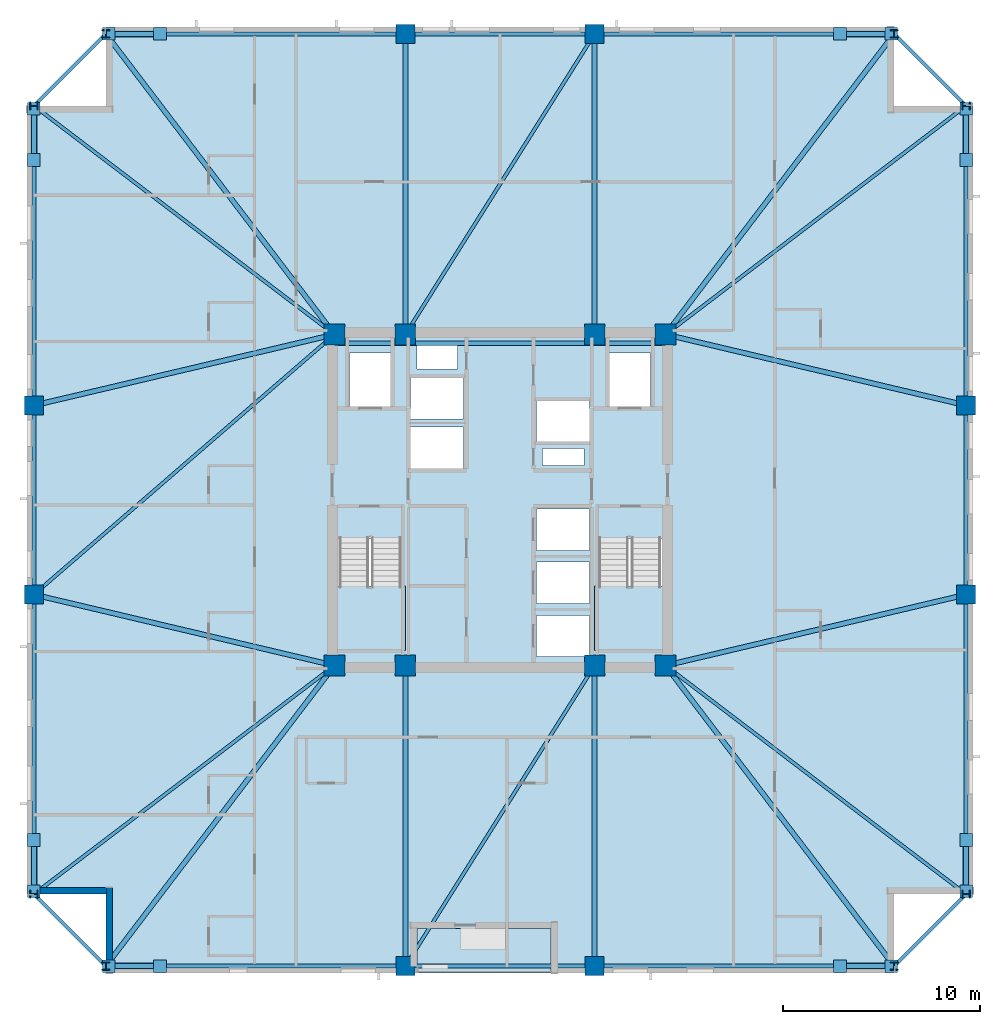
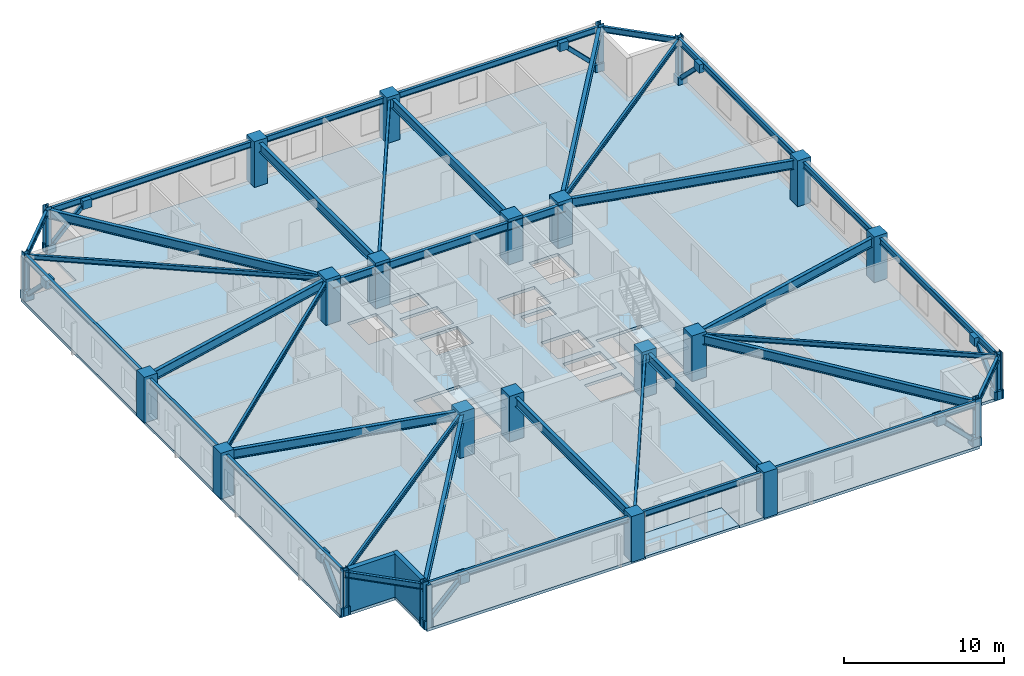
# One storey, part 1 of 11: 38 beams, 24 columns, 16 plates, 8 members, 4 slabs, 2 walls, 2 elements without a shape of their own.
"""IFC4 building model written with IfcOpenShell, lengths in metres."""

from ifc_helpers import new_model, si_unit, direction, frame, frame_2d, origin, origin_2d, place, context, subcontext, project, spatial, polyline, rectangle, hollow_rectangle, i_section, outline, extrude, material, layer, layer_set, material_profile, profile_set, type_object, element, aggregate, save


model = new_model("IFC4")

# Units and contexts
model_context = context("Model", 3, precision=1e-05, world=origin(), true_north=direction((0.0, 1.0)))
body_context = subcontext(model_context, "Body", "Model", "MODEL_VIEW")
ifc_project = project(units=[si_unit("LENGTHUNIT", "METRE"), si_unit("AREAUNIT", "SQUARE_METRE"), si_unit("VOLUMEUNIT", "CUBIC_METRE"), si_unit("PLANEANGLEUNIT", "RADIAN"), si_unit("MASSUNIT", "GRAM", prefix="KILO")], contexts=[model_context])

# Site, building, storey
site_placement = place(None, origin())
site = spatial("IfcSite", under=ifc_project, at=site_placement, CompositionType="ELEMENT")
building_placement = place(site_placement, origin())
building = spatial("IfcBuilding", under=site, at=building_placement, Name="Cairnveth Concourse Tower", CompositionType="ELEMENT")
storey_placement = place(building_placement, frame((0.0, 0.0, 151.5)))
storey = spatial("IfcBuildingStorey", under=building, at=storey_placement, Name="L41", CompositionType="ELEMENT", Elevation=151.5)

# Columns
ifc_material_1 = material(Name="Concrete N65 (65 MPa)", Category="concrete")
ifc_material_profile_1 = material_profile(ifc_material_1, rectangle(XDim=1.050048828125, YDim=1.050048828125, at=origin_2d()), Name="RC-COL-1050x1050")
ifc_profile_set_1 = profile_set([ifc_material_profile_1], Name="Concrete N65 (65 MPa)")
column_type_1 = type_object("IfcColumnType", Name="CORE COLUMN 1050X1050", PredefinedType="COLUMN", material=ifc_profile_set_1)
for number, where, z_axis, x_axis, name in (
    (1, (43.60009765625, 30.60009765625, 0.0), (0.0, 0.0, 1.0), (1.0, 0.0, 0.0), "Column CC1 L41"),
    (2, (47.199951171875, 30.60009765625, 0.0), (0.0, 0.0, 1.0), (1.0, 0.0, 0.0), "Column CC2 L41"),
    (3, (56.800048828125, 30.60009765625, 0.0), (0.0, 0.0, 1.0), (1.0, 0.0, 0.0), "Column CC3 L41"),
    (4, (60.39990234375, 30.60009765625, 0.0), (0.0, 0.0, 1.0), (1.0, 0.0, 0.0), "Column CC4 L41"),
    (5, (43.60009765625, 47.39990234375, 0.0), (0.0, 0.0, 1.0), (1.0, 0.0, 0.0), "Column CC5 L41"),
    (6, (47.199951171875, 47.39990234375, 0.0), (0.0, 0.0, 1.0), (1.0, 0.0, 0.0), "Column CC6 L41"),
    (7, (56.800048828125, 47.39990234375, 0.0), (0.0, 0.0, 1.0), (1.0, 0.0, 0.0), "Column CC7 L41"),
    (8, (60.39990234375, 47.39990234375, 0.0), (0.0, 0.0, 1.0), (1.0, 0.0, 0.0), "Column CC8 L41"),
):
    element("IfcColumn", number, at=place(storey_placement, frame(where, z_axis=z_axis, x_axis=x_axis)), inside=storey, type_object=column_type_1, Name=name, PredefinedType="COLUMN", context=body_context, shape_type="SweptSolid", body=[
        extrude(rectangle(XDim=1.050048828125, YDim=1.050048828125, at=origin_2d()), origin(), (0.0, 0.0, 1.0), 3.5),
    ])
ifc_material_profile_2 = material_profile(ifc_material_1, rectangle(XDim=0.949951171875, YDim=0.949951171875, at=origin_2d()), Name="RC-COL-950x950")
ifc_profile_set_2 = profile_set([ifc_material_profile_2], Name="Concrete N65 (65 MPa)")
column_type_2 = type_object("IfcColumnType", Name="PERIMETER PIER COLUMN 950X950", PredefinedType="COLUMN", material=ifc_profile_set_2)
for number, where, z_axis, x_axis, name in (
    (9, (47.199951171875, 15.35009765625, 0.0), (0.0, 0.0, 1.0), (1.0, 0.0, 0.0), "Column P-S2 L41"),
    (10, (56.800048828125, 15.35009765625, 0.0), (0.0, 0.0, 1.0), (1.0, 0.0, 0.0), "Column P-S3 L41"),
    (11, (75.64990234375, 34.199951171875, 0.0), (0.0, 0.0, 1.0), (0.0, 1.0, 0.0), "Column P-E2 L41"),
    (12, (75.64990234375, 43.800048828125, 0.0), (0.0, 0.0, 1.0), (0.0, 1.0, 0.0), "Column P-E3 L41"),
    (13, (56.800048828125, 62.64990234375, 0.0), (0.0, 0.0, 1.0), (1.0, 0.0, 0.0), "Column P-N2 L41"),
    (14, (47.199951171875, 62.64990234375, 0.0), (0.0, 0.0, 1.0), (1.0, 0.0, 0.0), "Column P-N3 L41"),
    (15, (28.35009765625, 43.800048828125, 0.0), (0.0, 0.0, 1.0), (0.0, 1.0, 0.0), "Column P-W2 L41"),
    (16, (28.35009765625, 34.199951171875, 0.0), (0.0, 0.0, 1.0), (0.0, 1.0, 0.0), "Column P-W3 L41"),
):
    element("IfcColumn", number, at=place(storey_placement, frame(where, z_axis=z_axis, x_axis=x_axis)), inside=storey, type_object=column_type_2, Name=name, PredefinedType="COLUMN", context=body_context, shape_type="SweptSolid", body=[
        extrude(rectangle(XDim=0.949951171875, YDim=0.949951171875, at=origin_2d()), origin(), (0.0, 0.0, 1.0), 3.5),
    ])
ifc_material_2 = material(Name="Steel Grade 350", Category="steel")
ifc_material_profile_3 = material_profile(ifc_material_2, i_section(OverallWidth=0.39990234375, OverallDepth=0.39990234375, WebThickness=0.02197265625, FlangeThickness=0.035888671875, at=origin_2d()), Name="400WC270")
ifc_profile_set_3 = profile_set([ifc_material_profile_3], Name="Steel Grade 350")
column_type_3 = type_object("IfcColumnType", Name="WELDED STEEL COLUMN 400WC270", PredefinedType="COLUMN", material=ifc_profile_set_3)
for number, where, z_axis, x_axis, name in (
    (17, (32.0, 15.35009765625, 0.0), (0.0, 0.0, 1.0), (1.0, 0.0, 0.0), "Column P-S1 L41"),
    (18, (72.0, 15.35009765625, 0.0), (0.0, 0.0, 1.0), (1.0, 0.0, 0.0), "Column P-S4 L41"),
    (19, (75.64990234375, 19.0, 0.0), (0.0, 0.0, 1.0), (0.0, 1.0, 0.0), "Column P-E1 L41"),
    (20, (75.64990234375, 59.0, 0.0), (0.0, 0.0, 1.0), (0.0, 1.0, 0.0), "Column P-E4 L41"),
    (21, (72.0, 62.64990234375, 0.0), (0.0, 0.0, 1.0), (1.0, 0.0, 0.0), "Column P-N1 L41"),
    (22, (32.0, 62.64990234375, 0.0), (0.0, 0.0, 1.0), (1.0, 0.0, 0.0), "Column P-N4 L41"),
    (23, (28.35009765625, 59.0, 0.0), (0.0, 0.0, 1.0), (0.0, 1.0, 0.0), "Column P-W1 L41"),
    (24, (28.35009765625, 19.0, 0.0), (0.0, 0.0, 1.0), (0.0, 1.0, 0.0), "Column P-W4 L41"),
):
    element("IfcColumn", number, at=place(storey_placement, frame(where, z_axis=z_axis, x_axis=x_axis)), inside=storey, type_object=column_type_3, Name=name, PredefinedType="COLUMN", context=body_context, shape_type="SweptSolid", body=[
        extrude(i_section(OverallWidth=0.39990234375, OverallDepth=0.39990234375, WebThickness=0.02197265625, FlangeThickness=0.035888671875, at=origin_2d()), origin(), (0.0, 0.0, 1.0), 3.5),
    ])

# Beams
ifc_material_profile_4 = material_profile(ifc_material_2, i_section(OverallWidth=0.22802734375, OverallDepth=0.60693359375, WebThickness=0.01123046875, FlangeThickness=0.017333984375, FilletRadius=0.013916015625, at=origin_2d()), Name="610UB113")
ifc_profile_set_4 = profile_set([ifc_material_profile_4], Name="Steel Grade 350")
beam_type_1 = type_object("IfcBeamType", Name="CORE TIE BEAM 610UB113", PredefinedType="T_BEAM", material=ifc_profile_set_4)
for number, where, z_axis, x_axis, name in (
    (25, (43.60009765625, 46.949951171875, 2.9765625), (1.0, 0.0, 0.0), (0.0, 1.0, 0.0), "Beam CT-N1 L41"),
    (26, (56.800048828125, 46.949951171875, 2.9765625), (1.0, 0.0, 0.0), (0.0, 1.0, 0.0), "Beam CT-N3 L41"),
):
    element("IfcBeam", number, at=place(storey_placement, frame(where, z_axis=z_axis, x_axis=x_axis)), inside=storey, type_object=beam_type_1, Name=name, PredefinedType="T_BEAM", context=body_context, shape_type="SweptSolid", body=[
        extrude(i_section(OverallWidth=0.22802734375, OverallDepth=0.60693359375, WebThickness=0.01123046875, FlangeThickness=0.017333984375, FilletRadius=0.013916015625, at=origin_2d()), origin(), (0.0, 0.0, 1.0), 3.599853515625),
    ])
beam_1_placement = place(storey_placement, frame((47.199951171875, 46.949951171875, 2.9765625), z_axis=(1.0, 0.0, 0.0), x_axis=(0.0, 1.0, 0.0)))
element("IfcBeam", 27, at=beam_1_placement, inside=storey, type_object=beam_type_1, Name="Beam CT-N2 L41", PredefinedType="T_BEAM", context=body_context, shape_type="SweptSolid", body=[
    extrude(i_section(OverallWidth=0.22802734375, OverallDepth=0.60693359375, WebThickness=0.01123046875, FlangeThickness=0.017333984375, FilletRadius=0.013916015625, at=origin_2d()), origin(), (0.0, 0.0, 1.0), 9.60009765625),
])
ifc_material_profile_5 = material_profile(ifc_material_2, i_section(OverallWidth=0.172119140625, OverallDepth=0.35888671875, WebThickness=0.008056640625, FlangeThickness=0.012939453125, FilletRadius=0.010986328125, at=origin_2d()), Name="360UB56.7")
ifc_profile_set_5 = profile_set([ifc_material_profile_5], Name="Steel Grade 350")
beam_type_2 = type_object("IfcBeamType", Name="ZONE 2 FLOOR JOIST 360UB56.7", PredefinedType="JOIST", material=ifc_profile_set_5)
for number, where, z_axis, x_axis, name in (
    (28, (28.35009765625, 19.0, 3.1005859375), (0.795908242904, 0.6054172684, 0.0), (-0.6054172684, 0.795908242904, 0.0), "Beam FJ-CSW2 L41"),
    (29, (75.64990234375, 19.0, 3.1005859375), (-0.795908242904, 0.6054172684, 0.0), (-0.6054172684, -0.795908242904, 0.0), "Beam FJ-CSE2 L41"),
    (30, (75.64990234375, 59.0, 3.1005859375), (-0.795908242904, -0.6054172684, 0.0), (0.6054172684, -0.795908242904, 0.0), "Beam FJ-CNE2 L41"),
    (31, (28.35009765625, 59.0, 3.1005859375), (0.795908242904, -0.6054172684, 0.0), (0.6054172684, 0.795908242904, 0.0), "Beam FJ-CNW2 L41"),
):
    element("IfcBeam", number, at=place(storey_placement, frame(where, z_axis=z_axis, x_axis=x_axis)), inside=storey, type_object=beam_type_2, Name=name, PredefinedType="JOIST", context=body_context, shape_type="SweptSolid", body=[
        extrude(i_section(OverallWidth=0.172119140625, OverallDepth=0.35888671875, WebThickness=0.008056640625, FlangeThickness=0.012939453125, FilletRadius=0.010986328125, at=origin_2d()), origin(), (0.0, 0.0, 1.0), 19.160400390625),
    ])
for number, where, z_axis, x_axis, name in (
    (32, (47.199951171875, 15.35009765625, 3.1005859375), (0.532743557037, 0.84627672923, 0.0), (-0.84627672923, 0.532743557037, 0.0), "Beam FJ-S-M1 L41"),
    (33, (47.199951171875, 47.39990234375, 3.1005859375), (0.532743557037, 0.84627672923, 0.0), (-0.84627672923, 0.532743557037, 0.0), "Beam FJ-N-M1 L41"),
):
    element("IfcBeam", number, at=place(storey_placement, frame(where, z_axis=z_axis, x_axis=x_axis)), inside=storey, type_object=beam_type_2, Name=name, PredefinedType="JOIST", context=body_context, shape_type="SweptSolid", body=[
        extrude(i_section(OverallWidth=0.172119140625, OverallDepth=0.35888671875, WebThickness=0.008056640625, FlangeThickness=0.012939453125, FilletRadius=0.010986328125, at=origin_2d()), origin(), (0.0, 0.0, 1.0), 18.02001953125),
    ])
beam_2_placement = place(storey_placement, frame((28.35009765625, 34.199951171875, 3.1005859375), z_axis=(0.756099107057, 0.654457134049, 0.0), x_axis=(-0.654457134049, 0.756099107057, 0.0)))
element("IfcBeam", 34, at=beam_2_placement, inside=storey, type_object=beam_type_2, Name="Beam FJ-W-M1 L41", PredefinedType="JOIST", context=body_context, shape_type="SweptSolid", body=[
    extrude(i_section(OverallWidth=0.172119140625, OverallDepth=0.35888671875, WebThickness=0.008056640625, FlangeThickness=0.012939453125, FilletRadius=0.010986328125, at=origin_2d()), origin(), (0.0, 0.0, 1.0), 20.16943359375),
])

# Members
ifc_material_3 = material(Name="Steel C350L0 (350 MPa)", Category="steel")
ifc_material_profile_6 = material_profile(ifc_material_3, hollow_rectangle(XDim=0.300048828125, YDim=0.300048828125, WallThickness=0.01611328125, InnerFilletRadius=0.01611328125, OuterFilletRadius=0.031982421875, at=origin_2d()), Name="300x300x16.0SHS")
ifc_profile_set_6 = profile_set([ifc_material_profile_6], Name="Steel C350L0 (350 MPa)")
member_type = type_object("IfcMemberType", Name="ZONE 2 PIER BRACE 300X300X16SHS", PredefinedType="BRACE", material=ifc_profile_set_6)
for number, where, z_axis, x_axis, name in (
    (35, (32.14990234375, 15.35009765625, 0.25), (0.709834195787, 0.0, 0.704368805735), (0.0, 1.0, 0.0), "Structural Brace PB-S1 L41"),
    (36, (71.85009765625, 15.35009765625, 0.25), (-0.709834195787, 0.0, 0.704368805735), (0.0, -1.0, 0.0), "Structural Brace PB-S2 L41"),
    (37, (32.14990234375, 62.64990234375, 0.25), (0.709834195787, 0.0, 0.704368805735), (0.0, 1.0, 0.0), "Structural Brace PB-N1 L41"),
    (38, (71.85009765625, 62.64990234375, 0.25), (-0.709834195787, 0.0, 0.704368805735), (0.0, -1.0, 0.0), "Structural Brace PB-N2 L41"),
    (39, (28.35009765625, 19.14990234375, 0.25), (0.0, 0.709834195787, 0.704368805735), (-1.0, 0.0, 0.0), "Structural Brace PB-W1 L41"),
    (40, (28.35009765625, 58.85009765625, 0.25), (0.0, -0.709834195787, 0.704368805735), (1.0, 0.0, 0.0), "Structural Brace PB-W2 L41"),
    (41, (75.64990234375, 19.14990234375, 0.25), (0.0, 0.709834195787, 0.704368805735), (-1.0, 0.0, 0.0), "Structural Brace PB-E1 L41"),
    (42, (75.64990234375, 58.85009765625, 0.25), (0.0, -0.709834195787, 0.704368805735), (1.0, 0.0, 0.0), "Structural Brace PB-E2 L41"),
):
    element("IfcMember", number, at=place(storey_placement, frame(where, z_axis=z_axis, x_axis=x_axis)), inside=storey, type_object=member_type, Name=name, PredefinedType="BRACE", context=body_context, shape_type="SweptSolid", body=[
        extrude(hollow_rectangle(XDim=0.300048828125, YDim=0.300048828125, WallThickness=0.01611328125, InnerFilletRadius=0.01611328125, OuterFilletRadius=0.031982421875, at=origin_2d()), origin(), (0.0, 0.0, 1.0), 3.6630859375),
    ])

# Beams
ifc_material_profile_7 = material_profile(ifc_material_2, i_section(OverallWidth=0.25, OverallDepth=0.699951171875, WebThickness=0.011962890625, FlangeThickness=0.028076171875, at=origin_2d()), Name="700WB173")
ifc_profile_set_7 = profile_set([ifc_material_profile_7], Name="Steel Grade 350")
beam_type_3 = type_object("IfcBeamType", Name="ZONE 2 RADIAL GIRDER 700WB173", PredefinedType="BEAM", material=ifc_profile_set_7)
for number, where, z_axis, x_axis, name in (
    (43, (47.199951171875, 15.35009765625, 2.929931640625), (0.0, 1.0, 0.0), (-1.0, 0.0, 0.0), "Beam RG-S1 L41"),
    (44, (56.800048828125, 15.35009765625, 2.929931640625), (0.0, 1.0, 0.0), (-1.0, 0.0, 0.0), "Beam RG-S2 L41"),
    (45, (47.199951171875, 47.39990234375, 2.929931640625), (0.0, 1.0, 0.0), (-1.0, 0.0, 0.0), "Beam RG-N1 L41"),
    (46, (56.800048828125, 47.39990234375, 2.929931640625), (0.0, 1.0, 0.0), (-1.0, 0.0, 0.0), "Beam RG-N2 L41"),
):
    element("IfcBeam", number, at=place(storey_placement, frame(where, z_axis=z_axis, x_axis=x_axis)), inside=storey, type_object=beam_type_3, Name=name, PredefinedType="BEAM", context=body_context, shape_type="SweptSolid", body=[
        extrude(i_section(OverallWidth=0.25, OverallDepth=0.699951171875, WebThickness=0.011962890625, FlangeThickness=0.028076171875, at=origin_2d()), origin(), (0.0, 0.0, 1.0), 15.25),
    ])
for number, where, z_axis, x_axis, name in (
    (47, (28.35009765625, 34.199951171875, 2.929931640625), (0.973251602929, -0.229741849468, 0.0), (0.229741849468, 0.973251602929, 0.0), "Beam RG-W1 L41"),
    (48, (28.35009765625, 43.800048828125, 2.929931640625), (0.973251602929, 0.229741849468, 0.0), (-0.229741849468, 0.973251602929, 0.0), "Beam RG-W2 L41"),
    (49, (60.39990234375, 30.60009765625, 2.929931640625), (0.973251602929, 0.229741849468, 0.0), (-0.229741849468, 0.973251602929, 0.0), "Beam RG-E1 L41"),
    (50, (60.39990234375, 47.39990234375, 2.929931640625), (0.973251602929, -0.229741849468, 0.0), (0.229741849468, 0.973251602929, 0.0), "Beam RG-E2 L41"),
):
    element("IfcBeam", number, at=place(storey_placement, frame(where, z_axis=z_axis, x_axis=x_axis)), inside=storey, type_object=beam_type_3, Name=name, PredefinedType="BEAM", context=body_context, shape_type="SweptSolid", body=[
        extrude(i_section(OverallWidth=0.25, OverallDepth=0.699951171875, WebThickness=0.011962890625, FlangeThickness=0.028076171875, at=origin_2d()), origin(), (0.0, 0.0, 1.0), 15.669189453125),
    ])
for number, where, z_axis, x_axis, name in (
    (51, (32.0, 15.35009765625, 2.929931640625), (0.6054172684, 0.795908242904, 0.0), (-0.795908242904, 0.6054172684, 0.0), "Beam RG-CSW L41"),
    (52, (72.0, 15.35009765625, 2.929931640625), (-0.6054172684, 0.795908242904, 0.0), (-0.795908242904, -0.6054172684, 0.0), "Beam RG-CSE L41"),
    (53, (72.0, 62.64990234375, 2.929931640625), (-0.6054172684, -0.795908242904, 0.0), (0.795908242904, -0.6054172684, 0.0), "Beam RG-CNE L41"),
    (54, (32.0, 62.64990234375, 2.929931640625), (0.6054172684, -0.795908242904, 0.0), (0.795908242904, 0.6054172684, 0.0), "Beam RG-CNW L41"),
):
    element("IfcBeam", number, at=place(storey_placement, frame(where, z_axis=z_axis, x_axis=x_axis)), inside=storey, type_object=beam_type_3, Name=name, PredefinedType="BEAM", context=body_context, shape_type="SweptSolid", body=[
        extrude(i_section(OverallWidth=0.25, OverallDepth=0.699951171875, WebThickness=0.011962890625, FlangeThickness=0.028076171875, at=origin_2d()), origin(), (0.0, 0.0, 1.0), 19.160400390625),
    ])
ifc_material_profile_8 = material_profile(ifc_material_2, i_section(OverallWidth=0.18994140625, OverallDepth=0.45703125, WebThickness=0.009033203125, FlangeThickness=0.014404296875, FilletRadius=0.010986328125, at=origin_2d()), Name="460UB74.6")
ifc_profile_set_8 = profile_set([ifc_material_profile_8], Name="Steel Grade 350")
beam_type_4 = type_object("IfcBeamType", Name="ZONE 2 SPANDREL BEAM 460UB74.6", PredefinedType="SPANDREL", material=ifc_profile_set_8)
beam_3_placement = place(storey_placement, frame((32.0, 15.35009765625, 3.051513671875), z_axis=(1.0, 0.0, 0.0), x_axis=(0.0, 1.0, 0.0)))
element("IfcBeam", 55, at=beam_3_placement, inside=storey, type_object=beam_type_4, Name="Beam SP-S1 L41", PredefinedType="SPANDREL", context=body_context, shape_type="SweptSolid", body=[
    extrude(i_section(OverallWidth=0.18994140625, OverallDepth=0.45703125, WebThickness=0.009033203125, FlangeThickness=0.014404296875, FilletRadius=0.010986328125, at=origin_2d()), origin(), (0.0, 0.0, 1.0), 15.199951171875),
])
beam_4_placement = place(storey_placement, frame((47.199951171875, 15.35009765625, 3.051513671875), z_axis=(1.0, 0.0, 0.0), x_axis=(0.0, 1.0, 0.0)))
element("IfcBeam", 56, at=beam_4_placement, inside=storey, type_object=beam_type_4, Name="Beam SP-S2 L41", PredefinedType="SPANDREL", context=body_context, shape_type="SweptSolid", body=[
    extrude(i_section(OverallWidth=0.18994140625, OverallDepth=0.45703125, WebThickness=0.009033203125, FlangeThickness=0.014404296875, FilletRadius=0.010986328125, at=origin_2d()), origin(), (0.0, 0.0, 1.0), 9.60009765625),
])
for number, where, z_axis, x_axis, name in (
    (57, (56.800048828125, 15.35009765625, 3.051513671875), (1.0, 0.0, 0.0), (0.0, 1.0, 0.0), "Beam SP-S3 L41"),
    (58, (32.0, 62.64990234375, 3.051513671875), (1.0, 0.0, 0.0), (0.0, 1.0, 0.0), "Beam SP-N1 L41"),
):
    element("IfcBeam", number, at=place(storey_placement, frame(where, z_axis=z_axis, x_axis=x_axis)), inside=storey, type_object=beam_type_4, Name=name, PredefinedType="SPANDREL", context=body_context, shape_type="SweptSolid", body=[
        extrude(i_section(OverallWidth=0.18994140625, OverallDepth=0.45703125, WebThickness=0.009033203125, FlangeThickness=0.014404296875, FilletRadius=0.010986328125, at=origin_2d()), origin(), (0.0, 0.0, 1.0), 15.199951171875),
    ])
beam_5_placement = place(storey_placement, frame((47.199951171875, 62.64990234375, 3.051513671875), z_axis=(1.0, 0.0, 0.0), x_axis=(0.0, 1.0, 0.0)))
element("IfcBeam", 59, at=beam_5_placement, inside=storey, type_object=beam_type_4, Name="Beam SP-N2 L41", PredefinedType="SPANDREL", context=body_context, shape_type="SweptSolid", body=[
    extrude(i_section(OverallWidth=0.18994140625, OverallDepth=0.45703125, WebThickness=0.009033203125, FlangeThickness=0.014404296875, FilletRadius=0.010986328125, at=origin_2d()), origin(), (0.0, 0.0, 1.0), 9.60009765625),
])
for number, where, z_axis, x_axis, name in (
    (60, (56.800048828125, 62.64990234375, 3.051513671875), (1.0, 0.0, 0.0), (0.0, 1.0, 0.0), "Beam SP-N3 L41"),
    (61, (28.35009765625, 19.0, 3.051513671875), (0.0, 1.0, 0.0), (-1.0, 0.0, 0.0), "Beam SP-W1 L41"),
):
    element("IfcBeam", number, at=place(storey_placement, frame(where, z_axis=z_axis, x_axis=x_axis)), inside=storey, type_object=beam_type_4, Name=name, PredefinedType="SPANDREL", context=body_context, shape_type="SweptSolid", body=[
        extrude(i_section(OverallWidth=0.18994140625, OverallDepth=0.45703125, WebThickness=0.009033203125, FlangeThickness=0.014404296875, FilletRadius=0.010986328125, at=origin_2d()), origin(), (0.0, 0.0, 1.0), 15.199951171875),
    ])
beam_6_placement = place(storey_placement, frame((28.35009765625, 34.199951171875, 3.051513671875), z_axis=(0.0, 1.0, 0.0), x_axis=(-1.0, 0.0, 0.0)))
element("IfcBeam", 62, at=beam_6_placement, inside=storey, type_object=beam_type_4, Name="Beam SP-W2 L41", PredefinedType="SPANDREL", context=body_context, shape_type="SweptSolid", body=[
    extrude(i_section(OverallWidth=0.18994140625, OverallDepth=0.45703125, WebThickness=0.009033203125, FlangeThickness=0.014404296875, FilletRadius=0.010986328125, at=origin_2d()), origin(), (0.0, 0.0, 1.0), 9.60009765625),
])
for number, where, z_axis, x_axis, name in (
    (63, (28.35009765625, 43.800048828125, 3.051513671875), (0.0, 1.0, 0.0), (-1.0, 0.0, 0.0), "Beam SP-W3 L41"),
    (64, (75.64990234375, 19.0, 3.051513671875), (0.0, 1.0, 0.0), (-1.0, 0.0, 0.0), "Beam SP-E1 L41"),
):
    element("IfcBeam", number, at=place(storey_placement, frame(where, z_axis=z_axis, x_axis=x_axis)), inside=storey, type_object=beam_type_4, Name=name, PredefinedType="SPANDREL", context=body_context, shape_type="SweptSolid", body=[
        extrude(i_section(OverallWidth=0.18994140625, OverallDepth=0.45703125, WebThickness=0.009033203125, FlangeThickness=0.014404296875, FilletRadius=0.010986328125, at=origin_2d()), origin(), (0.0, 0.0, 1.0), 15.199951171875),
    ])
beam_7_placement = place(storey_placement, frame((75.64990234375, 34.199951171875, 3.051513671875), z_axis=(0.0, 1.0, 0.0), x_axis=(-1.0, 0.0, 0.0)))
element("IfcBeam", 65, at=beam_7_placement, inside=storey, type_object=beam_type_4, Name="Beam SP-E2 L41", PredefinedType="SPANDREL", context=body_context, shape_type="SweptSolid", body=[
    extrude(i_section(OverallWidth=0.18994140625, OverallDepth=0.45703125, WebThickness=0.009033203125, FlangeThickness=0.014404296875, FilletRadius=0.010986328125, at=origin_2d()), origin(), (0.0, 0.0, 1.0), 9.60009765625),
])
beam_8_placement = place(storey_placement, frame((75.64990234375, 43.800048828125, 3.051513671875), z_axis=(0.0, 1.0, 0.0), x_axis=(-1.0, 0.0, 0.0)))
element("IfcBeam", 66, at=beam_8_placement, inside=storey, type_object=beam_type_4, Name="Beam SP-E3 L41", PredefinedType="SPANDREL", context=body_context, shape_type="SweptSolid", body=[
    extrude(i_section(OverallWidth=0.18994140625, OverallDepth=0.45703125, WebThickness=0.009033203125, FlangeThickness=0.014404296875, FilletRadius=0.010986328125, at=origin_2d()), origin(), (0.0, 0.0, 1.0), 15.199951171875),
])
for number, where, z_axis, x_axis, name in (
    (67, (28.35009765625, 19.0, 3.051513671875), (0.707106781187, -0.707106781187, 0.0), (0.707106781187, 0.707106781187, 0.0), "Beam SP-SW L41"),
    (68, (72.0, 15.35009765625, 3.051513671875), (0.707106781187, 0.707106781187, 0.0), (-0.707106781187, 0.707106781187, 0.0), "Beam SP-SE L41"),
    (69, (72.0, 62.64990234375, 3.051513671875), (0.707106781187, -0.707106781187, 0.0), (0.707106781187, 0.707106781187, 0.0), "Beam SP-NE L41"),
    (70, (28.35009765625, 59.0, 3.051513671875), (0.707106781187, 0.707106781187, 0.0), (-0.707106781187, 0.707106781187, 0.0), "Beam SP-NW L41"),
):
    element("IfcBeam", number, at=place(storey_placement, frame(where, z_axis=z_axis, x_axis=x_axis)), inside=storey, type_object=beam_type_4, Name=name, PredefinedType="SPANDREL", context=body_context, shape_type="SweptSolid", body=[
        extrude(i_section(OverallWidth=0.18994140625, OverallDepth=0.45703125, WebThickness=0.009033203125, FlangeThickness=0.014404296875, FilletRadius=0.010986328125, at=origin_2d()), origin(), (0.0, 0.0, 1.0), 5.16162109375),
    ])

# Slab
ifc_material_4 = material(Name="Concrete N50 (50 MPa)", Category="concrete")
ifc_layer_1 = layer(ifc_material_4, 0.219970703125)
ifc_layer_set_1 = layer_set([ifc_layer_1], Name="Concrete N50 (50 MPa)")
slab_type_1 = type_object("IfcSlabType", Name="LOWER TOWER COMPOSITE SLAB 220", PredefinedType="FLOOR", material=ifc_layer_set_1)
slab_1_placement = place(storey_placement, frame((0.0, 0.0, -0.219970703125)))
element("IfcSlab", 71, at=slab_1_placement, inside=storey, type_object=slab_type_1, Name="Tower Floor Slab L41", PredefinedType="FLOOR", context=body_context, shape_type="SweptSolid", body=[
    extrude(outline(polyline([(47.800048828125, 15.0), (47.800048828125, 17.25), (54.60009765625, 17.25), (54.60009765625, 15.0), (72.0, 15.0), (72.0, 19.0), (76.0, 19.0), (76.0, 59.0), (72.0, 59.0), (72.0, 63.0), (32.0, 63.0), (32.0, 59.0), (28.0, 59.0), (28.0, 19.0), (32.0, 19.0), (32.0, 15.0), (47.800048828125, 15.0)]), holes=[polyline([(43.760009765625, 31.360107421875), (47.06005859375, 31.360107421875), (47.06005859375, 37.0400390625), (43.760009765625, 37.0400390625), (43.760009765625, 31.360107421875)]), polyline([(56.93994140625, 31.360107421875), (60.239990234375, 31.360107421875), (60.239990234375, 37.0400390625), (56.93994140625, 37.0400390625), (56.93994140625, 31.360107421875)]), polyline([(44.3701171875, 43.75), (46.469970703125, 43.75), (46.469970703125, 46.449951171875), (44.3701171875, 46.449951171875), (44.3701171875, 43.75)]), polyline([(57.530029296875, 43.75), (59.6298828125, 43.75), (59.6298828125, 46.449951171875), (57.530029296875, 46.449951171875), (57.530029296875, 43.75)]), polyline([(53.85009765625, 31.050048828125), (56.550048828125, 31.050048828125), (56.550048828125, 33.14990234375), (53.85009765625, 33.14990234375), (53.85009765625, 31.050048828125)]), polyline([(53.85009765625, 33.75), (56.550048828125, 33.75), (56.550048828125, 35.85009765625), (53.85009765625, 35.85009765625), (53.85009765625, 33.75)]), polyline([(53.85009765625, 36.449951171875), (56.550048828125, 36.449951171875), (56.550048828125, 38.550048828125), (53.85009765625, 38.550048828125), (53.85009765625, 36.449951171875)]), polyline([(47.449951171875, 40.60009765625), (50.14990234375, 40.60009765625), (50.14990234375, 42.699951171875), (47.449951171875, 42.699951171875), (47.449951171875, 40.60009765625)]), polyline([(47.449951171875, 43.10009765625), (50.14990234375, 43.10009765625), (50.14990234375, 45.199951171875), (47.449951171875, 45.199951171875), (47.449951171875, 43.10009765625)]), polyline([(53.85009765625, 41.949951171875), (56.550048828125, 41.949951171875), (56.550048828125, 44.050048828125), (53.85009765625, 44.050048828125), (53.85009765625, 41.949951171875)]), polyline([(47.800048828125, 45.64990234375), (49.85009765625, 45.64990234375), (49.85009765625, 47.050048828125), (47.800048828125, 47.050048828125), (47.800048828125, 45.64990234375)]), polyline([(54.14990234375, 40.75), (56.25, 40.75), (56.25, 41.6201171875), (54.14990234375, 41.6201171875), (54.14990234375, 40.75)])]), origin(), (0.0, 0.0, 1.0), 0.219970703125),
])

# Plates
ifc_layer_2 = layer(ifc_material_2, 0.031982421875)
ifc_layer_set_2 = layer_set([ifc_layer_2], Name="Steel Grade 350")
plate_type = type_object("IfcPlateType", Name="PERIMETER BRACE GUSSET PLATE 32", PredefinedType="USERDEFINED", material=ifc_layer_set_2)
for number, where, z_axis, x_axis, name in (
    (72, (32.14990234375, 15.35009765625, -0.06982421875), (0.0, 0.0, 1.0), (1.0, 0.0, 0.0), "Structural Node Plate 0689 L41"),
    (73, (34.75, 15.35009765625, 2.51025390625), (0.0, 0.0, 1.0), (1.0, 0.0, 0.0), "Structural Node Plate 0690 L41"),
    (74, (71.85009765625, 15.35009765625, -0.06982421875), (0.0, 0.0, 1.0), (1.0, 0.0, 0.0), "Structural Node Plate 0691 L41"),
    (75, (69.25, 15.35009765625, 2.51025390625), (0.0, 0.0, 1.0), (1.0, 0.0, 0.0), "Structural Node Plate 0692 L41"),
    (76, (32.14990234375, 62.64990234375, -0.06982421875), (0.0, 0.0, 1.0), (1.0, 0.0, 0.0), "Structural Node Plate 0693 L41"),
    (77, (34.75, 62.64990234375, 2.51025390625), (0.0, 0.0, 1.0), (1.0, 0.0, 0.0), "Structural Node Plate 0694 L41"),
    (78, (71.85009765625, 62.64990234375, -0.06982421875), (0.0, 0.0, 1.0), (1.0, 0.0, 0.0), "Structural Node Plate 0695 L41"),
    (79, (69.25, 62.64990234375, 2.51025390625), (0.0, 0.0, 1.0), (1.0, 0.0, 0.0), "Structural Node Plate 0696 L41"),
    (80, (28.35009765625, 19.14990234375, -0.06982421875), (0.0, 0.0, 1.0), (1.0, 0.0, 0.0), "Structural Node Plate 0697 L41"),
    (81, (28.35009765625, 21.75, 2.51025390625), (0.0, 0.0, 1.0), (1.0, 0.0, 0.0), "Structural Node Plate 0698 L41"),
    (82, (28.35009765625, 58.85009765625, -0.06982421875), (0.0, 0.0, 1.0), (1.0, 0.0, 0.0), "Structural Node Plate 0699 L41"),
    (83, (28.35009765625, 56.25, 2.51025390625), (0.0, 0.0, 1.0), (1.0, 0.0, 0.0), "Structural Node Plate 0700 L41"),
    (84, (75.64990234375, 19.14990234375, -0.06982421875), (0.0, 0.0, 1.0), (1.0, 0.0, 0.0), "Structural Node Plate 0701 L41"),
    (85, (75.64990234375, 21.75, 2.51025390625), (0.0, 0.0, 1.0), (1.0, 0.0, 0.0), "Structural Node Plate 0702 L41"),
    (86, (75.64990234375, 58.85009765625, -0.06982421875), (0.0, 0.0, 1.0), (1.0, 0.0, 0.0), "Structural Node Plate 0703 L41"),
    (87, (75.64990234375, 56.25, 2.51025390625), (0.0, 0.0, 1.0), (1.0, 0.0, 0.0), "Structural Node Plate 0704 L41"),
):
    element("IfcPlate", number, at=place(storey_placement, frame(where, z_axis=z_axis, x_axis=x_axis)), inside=storey, type_object=plate_type, Name=name, ObjectType="GUSSET PLATE", PredefinedType="USERDEFINED", context=body_context, shape_type="SweptSolid", body=[
        extrude(rectangle(XDim=0.639892578125, YDim=0.639892578125, at=origin_2d()), origin(), (0.0, 0.0, 1.0), 0.639892578125),
    ])

# Slab
ifc_layer_3 = layer(ifc_material_4, 0.18994140625)
ifc_layer_set_3 = layer_set([ifc_layer_3], Name="Concrete N50 (50 MPa)")
slab_type_2 = type_object("IfcSlabType", Name="SPIRAL OUTDOOR TERRACE SLAB 190", PredefinedType="FLOOR", material=ifc_layer_set_3)
slab_2_placement = place(storey_placement, frame((0.0, 0.0, -0.18994140625)))
element("IfcSlab", 88, at=slab_2_placement, inside=storey, type_object=slab_type_2, Name="Spiral Terrace Slab L41", PredefinedType="FLOOR", context=body_context, shape_type="SweptSolid", body=[
    extrude(outline(polyline([(47.800048828125, 15.0), (54.60009765625, 15.0), (54.60009765625, 17.25), (47.800048828125, 17.25), (47.800048828125, 15.0)])), origin(), (0.0, 0.0, 1.0), 0.18994140625),
])

# Stair, slab
ifc_material_5 = material(Name="Precast concrete N50 (50 MPa)", Category="concrete")
stair_type = type_object("IfcStairType", Name="CORE DOG-LEG FIRE STAIR 1500", PredefinedType="HALF_TURN_STAIR", material=ifc_material_5)
stair_1_placement = place(storey_placement, origin())
stair_1 = element("IfcStair", 89, at=stair_1_placement, inside=storey, type_object=stair_type, Name="L41 Fire-Isolated Stair ST-1", PredefinedType="HALF_TURN_STAIR")
ifc_layer_4 = layer(ifc_material_4, 0.199951171875)
ifc_layer_set_4 = layer_set([ifc_layer_4], Name="Concrete N50 (50 MPa)")
slab_type_3 = type_object("IfcSlabType", Name="STAIR HALF LANDING SLAB 200", PredefinedType="LANDING", material=ifc_layer_set_4)
slab_3_placement = place(storey_placement, frame((0.0, 0.0, 1.550048828125)))
slab_3 = element("IfcSlab", 90, at=slab_3_placement, type_object=slab_type_3, Name="ST-1 landing 1", PredefinedType="LANDING", context=body_context, shape_type="SweptSolid", body=[
    extrude(outline(polyline([(43.6201171875, 34.639892578125), (43.6201171875, 31.3701171875), (47.199951171875, 31.3701171875), (47.199951171875, 34.639892578125), (43.6201171875, 34.639892578125)])), origin(), (0.0, 0.0, 1.0), 0.199951171875),
])
aggregate(stair_1, [slab_3])

stair_2_placement = place(storey_placement, origin())
stair_2 = element("IfcStair", 91, at=stair_2_placement, inside=storey, type_object=stair_type, Name="L41 Fire-Isolated Stair ST-2", PredefinedType="HALF_TURN_STAIR")
slab_4_placement = place(storey_placement, frame((0.0, 0.0, 1.550048828125)))
slab_4 = element("IfcSlab", 92, at=slab_4_placement, type_object=slab_type_3, Name="ST-2 landing 1", PredefinedType="LANDING", context=body_context, shape_type="SweptSolid", body=[
    extrude(outline(polyline([(56.800048828125, 34.639892578125), (56.800048828125, 31.3701171875), (60.3798828125, 31.3701171875), (60.3798828125, 34.639892578125), (56.800048828125, 34.639892578125)])), origin(), (0.0, 0.0, 1.0), 0.199951171875),
])
aggregate(stair_2, [slab_4])

# Walls
ifc_material_6 = material(Name="Hawthorn Red-Ochre Fired Clay Brick Masonry", Category="masonry")
ifc_layer_5 = layer(ifc_material_6, 0.340087890625)
ifc_layer_set_5 = layer_set([ifc_layer_5], Name="Hawthorn Red-Ochre Fired Clay Brick Masonry")
wall_type = type_object("IfcWallType", Name="ZONE 2 BRICK PIER SPANDREL WALL 340", PredefinedType="SOLIDWALL", material=ifc_layer_set_5)
wall_1_placement = place(storey_placement, frame((32.169921875, 15.0, 0.0), z_axis=(0.0, 0.0, 1.0), x_axis=(0.0, 1.0, 0.0)))
element("IfcWall", 93, at=wall_1_placement, inside=storey, type_object=wall_type, Name="Exterior Wall EW-L41-S01", PredefinedType="SOLIDWALL", context=body_context, shape_type="SweptSolid", body=[
    extrude(rectangle(XDim=4.340087890625, YDim=0.340087890625, at=frame_2d((2.169921875, 0.0))), origin(), (0.0, 0.0, 1.0), 3.280029296875),
])
wall_2_placement = place(storey_placement, frame((32.02197265625, 19.169921875, 0.0), z_axis=(0.0, 0.0, 1.0), x_axis=(-1.0, 0.0, 0.0)))
element("IfcWall", 94, at=wall_2_placement, inside=storey, type_object=wall_type, Name="Exterior Wall EW-L41-S02", PredefinedType="SOLIDWALL", context=body_context, shape_type="SweptSolid", body=[
    extrude(rectangle(XDim=3.703857421875, YDim=0.340087890625, at=frame_2d((1.85205078125, 0.0))), origin(), (0.0, 0.0, 1.0), 3.280029296875),
])

save(model, "model.ifc")
